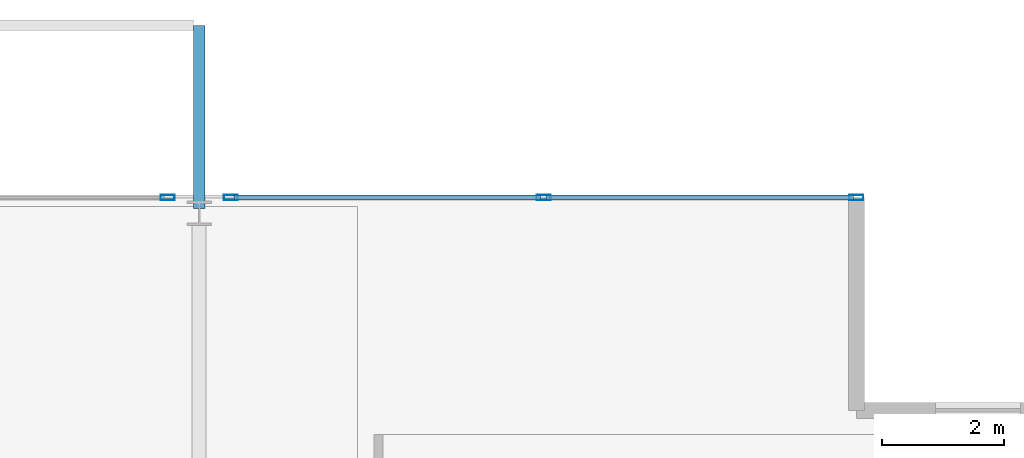
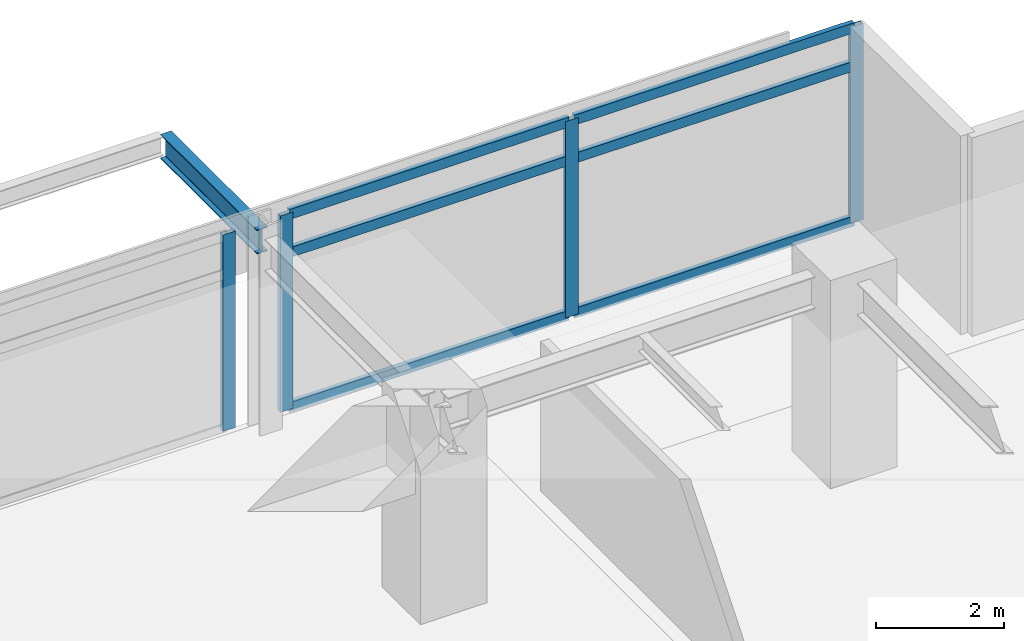
# One storey, part 11 of 20: 10 members, 1 beam, 2 elements without a shape of their own.
"""IFC4 building model written with IfcOpenShell, lengths in metres."""

import ifcopenshell
import ifcopenshell.guid

model = None  # the IFC model being written
_history = None  # IfcOwnerHistory: only IFC2X3 demands one
_inside = {}  # id of a spatial element -> (the spatial element, [elements in it])
_under = {}  # id of a project, library or spatial element -> (it, [spatial elements below it])
_declared = {}  # id of a project -> (the project, [libraries it declares])
_typed = {}  # id of a type object -> (the type object, [elements of that type])
_made_of = {}  # id of a material, layer set ... -> (it, [elements and type objects made of it])


def new_model(schema):
    """Start an empty IFC model of exactly this schema.

    Asked for "IFC4X3", IfcOpenShell would pick the latest addendum, in which some entities
    have other attributes; the version numbers below select the first issue.
    IFC2X3 requires an IfcOwnerHistory on every rooted entity: one is made here for all.
    """
    global model, _history
    if schema == "IFC4X3":
        model = ifcopenshell.file(schema_version=(4, 3, 0, 0))
    else:
        model = ifcopenshell.file(schema=schema)
    _inside.clear()
    _under.clear()
    _declared.clear()
    _typed.clear()
    _made_of.clear()
    _history = None
    if model.schema == "IFC2X3":
        org = make("IfcOrganization", Name="unknown")
        user = make(
            "IfcPersonAndOrganization",
            ThePerson=make("IfcPerson", FamilyName="unknown"),
            TheOrganization=org,
        )
        app = make(
            "IfcApplication",
            ApplicationDeveloper=org,
            Version="unknown",
            ApplicationFullName="unknown",
            ApplicationIdentifier="unknown",
        )
        _history = make(
            "IfcOwnerHistory",
            OwningUser=user,
            OwningApplication=app,
            ChangeAction="ADDED",
            CreationDate=0,
        )
    return model


def make(cls, **values):
    """One entity of the class cls with the attributes given. An attribute that is None is left unset."""
    return model.create_entity(
        cls, **{name: value for name, value in values.items() if value is not None}
    )


def rooted(cls, **values):
    """An entity with a GlobalId (a new one), such as an element, a storey or a relation."""
    return make(cls, GlobalId=ifcopenshell.guid.new(), OwnerHistory=_history, **values)


def si_unit(unit_type, name, prefix=None):
    """IfcSIUnit, for example si_unit("LENGTHUNIT", "METRE", prefix="MILLI")."""
    return make("IfcSIUnit", UnitType=unit_type, Prefix=prefix, Name=name)


def assignment(units):
    """IfcUnitAssignment: the units of a project."""
    return None if units is None else make("IfcUnitAssignment", Units=units)


def point(xyz):
    """IfcCartesianPoint."""
    return None if xyz is None else make("IfcCartesianPoint", Coordinates=xyz)


def direction(xyz):
    """IfcDirection."""
    return None if xyz is None else make("IfcDirection", DirectionRatios=xyz)


def frame(location, z_axis=None, x_axis=None):
    """IfcAxis2Placement3D, a coordinate frame: its origin and axes. An axis left out is left unset."""
    return make(
        "IfcAxis2Placement3D",
        Location=point(location),
        Axis=direction(z_axis),
        RefDirection=direction(x_axis),
    )


def frame_2d(location, x_axis=None):
    """IfcAxis2Placement2D, a coordinate frame in the plane: its origin and x axis."""
    return make(
        "IfcAxis2Placement2D", Location=point(location), RefDirection=direction(x_axis)
    )


def origin():
    """The frame at (0, 0, 0) with its axes left unset."""
    return frame((0.0, 0.0, 0.0))


def origin_2d():
    """The frame at (0, 0) in the plane with its x axis left unset."""
    return frame_2d((0.0, 0.0))


def place(relative_to, where):
    """IfcLocalPlacement: puts the frame where relative to a parent placement (None: the world)."""
    return make(
        "IfcLocalPlacement", PlacementRelTo=relative_to, RelativePlacement=where
    )


def context(
    kind, dimensions, precision=None, world=None, true_north=None, identifier=None
):
    """IfcGeometricRepresentationContext, for example the 3D "Model" context."""
    return make(
        "IfcGeometricRepresentationContext",
        ContextIdentifier=identifier,
        ContextType=kind,
        CoordinateSpaceDimension=dimensions,
        Precision=precision,
        WorldCoordinateSystem=world,
        TrueNorth=true_north,
    )


def subcontext(parent, identifier, kind, view, scale=None):
    """IfcGeometricRepresentationSubContext, for example "Body" below "Model"."""
    return make(
        "IfcGeometricRepresentationSubContext",
        ContextIdentifier=identifier,
        ContextType=kind,
        ParentContext=parent,
        TargetScale=scale,
        TargetView=view,
    )


def project(units=None, contexts=None):
    """IfcProject with its units and contexts."""
    return rooted(
        "IfcProject",
        Name="project",
        RepresentationContexts=contexts,
        UnitsInContext=assignment(units),
    )


def spatial(cls, under=None, at=None, **own):
    """A site, building, storey or space (cls), placed at a placement, below another one or the project."""
    s = rooted(cls, ObjectPlacement=at, **own)
    if under is not None:
        _under.setdefault(under.id(), (under, []))[1].append(s)
    return s


def profile(cls, at=None, kind="AREA", **sizes):
    """A parametric profile (cls). Its sizes go by their IFC names, for example OverallWidth=200.0."""
    return make(cls, ProfileType=kind, Position=at, **sizes)


def hollow_rectangle(**sizes):
    """IfcRectangleHollowProfileDef."""
    return profile("IfcRectangleHollowProfileDef", **sizes)


def i_section(**sizes):
    """IfcIShapeProfileDef."""
    return profile("IfcIShapeProfileDef", **sizes)


def extrude(swept, where, along, depth):
    """IfcExtrudedAreaSolid: the profile swept, set in the frame where, extruded along a direction by depth."""
    return make(
        "IfcExtrudedAreaSolid",
        SweptArea=swept,
        Position=where,
        ExtrudedDirection=direction(along),
        Depth=depth,
    )


def shape(context_of_items, identifier, shape_type, items):
    """IfcShapeRepresentation: the items that make up one representation, for example the "Body"."""
    return make(
        "IfcShapeRepresentation",
        ContextOfItems=context_of_items,
        RepresentationIdentifier=identifier,
        RepresentationType=shape_type,
        Items=items,
    )


def material(Name=None, Category=None):
    """IfcMaterial."""
    return make("IfcMaterial", Name=Name, Category=Category)


def material_profile(
    of_material, cross_section, Name=None, Category=None, Priority=None
):
    """IfcMaterialProfile: a cross section and its material."""
    return make(
        "IfcMaterialProfile",
        Name=Name,
        Material=of_material,
        Profile=cross_section,
        Priority=Priority,
        Category=Category,
    )


def profile_set(profiles, Name=None, composite=None):
    """IfcMaterialProfileSet."""
    return make(
        "IfcMaterialProfileSet",
        Name=Name,
        MaterialProfiles=profiles,
        CompositeProfile=composite,
    )


def made_of(thing, what):
    """Note that an element or type object is made of a material, layer set ...; save() writes the relation."""
    if what is not None:
        _made_of.setdefault(what.id(), (what, []))[1].append(thing)
    return thing


def type_object(cls, material=None, **own):
    """A type object (cls), such as IfcWallType, which elements share."""
    return made_of(rooted(cls, **own), material)


def element(
    cls,
    number,
    at=None,
    inside=None,
    cuts=None,
    type_object=None,
    material=None,
    context=None,
    identifier="Body",
    shape_type=None,
    held_by="IfcProductDefinitionShape",
    body=None,
    shapes=None,
    **own,
):
    """One element of the class cls, such as IfcWall. Its Tag is "e" and its number.

    at: its placement. inside: the storey or other place that contains it. cuts: it is an
    opening in that element (IfcRelVoidsElement). A single representation is given by context,
    identifier, shape_type and body (its items); several are given by shapes. held_by: the class
    of the entity that holds the representations. save() writes the other relations.
    """
    e = rooted(cls, Tag="e%d" % number, ObjectPlacement=at, **own)
    if body is not None:
        shapes = [shape(context, identifier, shape_type, body)]
    if shapes is not None:
        e.Representation = make(held_by, Representations=shapes)
    if inside is not None:
        _inside.setdefault(inside.id(), (inside, []))[1].append(e)
    if cuts is not None:
        rooted(
            "IfcRelVoidsElement", RelatingBuildingElement=cuts, RelatedOpeningElement=e
        )
    if type_object is not None:
        _typed.setdefault(type_object.id(), (type_object, []))[1].append(e)
    return made_of(e, material)


def aggregate(whole, parts):
    """IfcRelAggregates: a whole, such as a stair, and the parts it consists of."""
    return rooted("IfcRelAggregates", RelatingObject=whole, RelatedObjects=parts)


def save(model, path):
    """Write the relations noted so far, then the file.

    IfcRelAggregates (storeys below a building ...), IfcRelContainedInSpatialStructure (elements
    in a storey), IfcRelDefinesByType, IfcRelAssociatesMaterial and IfcRelDeclares: one each for
    every whole, place, type object, material and project.
    """
    for whole, parts in _under.values():
        aggregate(whole, parts)
    for where, things in _inside.values():
        rooted(
            "IfcRelContainedInSpatialStructure",
            RelatedElements=things,
            RelatingStructure=where,
        )
    for kind, things in _typed.values():
        rooted("IfcRelDefinesByType", RelatedObjects=things, RelatingType=kind)
    for what, things in _made_of.values():
        rooted("IfcRelAssociatesMaterial", RelatedObjects=things, RelatingMaterial=what)
    for by, libraries in _declared.values():
        rooted("IfcRelDeclares", RelatingContext=by, RelatedDefinitions=libraries)
    model.write(path)


model = new_model("IFC4")

# Units and contexts
model_context = context("Model", 3, precision=1e-05, world=origin(), true_north=direction((0.0, 1.0)))
body_context = subcontext(model_context, "Body", "Model", "MODEL_VIEW")
ifc_project = project(units=[si_unit("LENGTHUNIT", "METRE"), si_unit("AREAUNIT", "SQUARE_METRE"), si_unit("VOLUMEUNIT", "CUBIC_METRE"), si_unit("PLANEANGLEUNIT", "RADIAN"), si_unit("MASSUNIT", "GRAM", prefix="KILO")], contexts=[model_context])

# Site, building, storey
site_placement = place(None, origin())
site = spatial("IfcSite", under=ifc_project, at=site_placement, CompositionType="ELEMENT")
building_placement = place(site_placement, origin())
building = spatial("IfcBuilding", under=site, at=building_placement, Name="Kovane Verandah Tower", CompositionType="ELEMENT")
storey_placement = place(building_placement, frame((0.0, 0.0, 279.199951171875)))
storey = spatial("IfcBuildingStorey", under=building, at=storey_placement, Name="L65", CompositionType="ELEMENT", Elevation=279.199951171875)

# Curtain wall, members
ifc_material_1 = material(Name="Champagne Anodised Aluminium Frame with Low-E Clear Laminated Glass", Category="aluminium")
curtain_wall_type = type_object("IfcCurtainWallType", Name="CW-SYS-05-HIGH", PredefinedType="NOTDEFINED", material=ifc_material_1)
curtain_wall_1_placement = place(storey_placement, origin())
curtain_wall_1 = element("IfcCurtainWall", 1, at=curtain_wall_1_placement, inside=storey, type_object=curtain_wall_type, Name="L65 N Unitised Curtain Wall-1", PredefinedType="NOTDEFINED")
ifc_material_2 = material(Name="Champagne Anodised Aluminium 6063-T6", Category="aluminium")
ifc_material_profile_1 = material_profile(ifc_material_2, hollow_rectangle(XDim=0.0849609375, YDim=0.22998046875, WallThickness=0.00390625, at=origin_2d()), Name="AL85x230x4")
ifc_profile_set_1 = profile_set([ifc_material_profile_1], Name="Champagne Anodised Aluminium 6063-T6")
member_type_1 = type_object("IfcMemberType", Name="CW-MUL-85x230", PredefinedType="MULLION", material=ifc_profile_set_1)
member_1_placement = place(storey_placement, frame((61.809814453125, 49.75634765625, 0.02001953125), z_axis=(0.0, 0.0, 1.0), x_axis=(0.0, 1.0, 0.0)))
member_1 = element("IfcMember", 2, at=member_1_placement, type_object=member_type_1, Name="L65 N Unitised Curtain Wall-1 Mullion 1", PredefinedType="MULLION", context=body_context, shape_type="SweptSolid", body=[
    extrude(hollow_rectangle(XDim=0.0849609375, YDim=0.22998046875, WallThickness=0.00390625, at=origin_2d()), origin(), (0.0, 0.0, 1.0), 3.7451171875),
])
member_2_placement = place(storey_placement, frame((56.664794921875, 49.75634765625, 0.02001953125), z_axis=(0.0, 0.0, 1.0), x_axis=(0.0, 1.0, 0.0)))
member_2 = element("IfcMember", 3, at=member_2_placement, type_object=member_type_1, Name="L65 N Unitised Curtain Wall-1 Mullion 2", PredefinedType="MULLION", context=body_context, shape_type="SweptSolid", body=[
    extrude(hollow_rectangle(XDim=0.0849609375, YDim=0.22998046875, WallThickness=0.00390625, at=origin_2d()), origin(), (0.0, 0.0, 1.0), 3.7451171875),
])
member_3_placement = place(storey_placement, frame((51.52001953125, 49.75634765625, 0.02001953125), z_axis=(0.0, 0.0, 1.0), x_axis=(0.0, 1.0, 0.0)))
member_3 = element("IfcMember", 4, at=member_3_placement, type_object=member_type_1, Name="L65 N Unitised Curtain Wall-1 Mullion 3", PredefinedType="MULLION", context=body_context, shape_type="SweptSolid", body=[
    extrude(hollow_rectangle(XDim=0.0849609375, YDim=0.22998046875, WallThickness=0.00390625, at=origin_2d()), origin(), (0.0, 0.0, 1.0), 3.7451171875),
])

# Curtain wall, member
curtain_wall_2_placement = place(storey_placement, origin())
curtain_wall_2 = element("IfcCurtainWall", 5, at=curtain_wall_2_placement, inside=storey, type_object=curtain_wall_type, Name="L65 N Unitised Curtain Wall-2", PredefinedType="NOTDEFINED")
member_4_placement = place(storey_placement, frame((50.47998046875, 49.75634765625, 0.02001953125), z_axis=(0.0, 0.0, 1.0), x_axis=(0.0, 1.0, 0.0)))
member_4 = element("IfcMember", 6, at=member_4_placement, type_object=member_type_1, Name="L65 N Unitised Curtain Wall-2 Mullion 1", PredefinedType="MULLION", context=body_context, shape_type="SweptSolid", body=[
    extrude(hollow_rectangle(XDim=0.0849609375, YDim=0.22998046875, WallThickness=0.00390625, at=origin_2d()), origin(), (0.0, 0.0, 1.0), 3.7451171875),
])
aggregate(curtain_wall_2, [member_4])

# Member
ifc_material_profile_2 = material_profile(ifc_material_2, hollow_rectangle(XDim=0.0849609375, YDim=0.18994140625, WallThickness=0.00390625, at=origin_2d()), Name="AL85x190x4")
ifc_profile_set_2 = profile_set([ifc_material_profile_2], Name="Champagne Anodised Aluminium 6063-T6")
member_type_2 = type_object("IfcMemberType", Name="CW-TRN-85x190", PredefinedType="USERDEFINED", material=ifc_profile_set_2)
member_5_placement = place(storey_placement, frame((61.759765625, 49.75634765625, 0.050048828125), z_axis=(-1.0, 0.0, 0.0), x_axis=(0.0, -1.0, 0.0)))
member_5 = element("IfcMember", 7, at=member_5_placement, type_object=member_type_2, Name="L65 N Unitised Curtain Wall-1 Transom TB Bay 1", ObjectType="TRANSOM", PredefinedType="USERDEFINED", context=body_context, shape_type="SweptSolid", body=[
    extrude(hollow_rectangle(XDim=0.0849609375, YDim=0.18994140625, WallThickness=0.00390625, at=origin_2d()), origin(), (0.0, 0.0, 1.0), 5.044921875),
])

member_6_placement = place(storey_placement, frame((61.759765625, 49.75634765625, 3.005126953125), z_axis=(-1.0, 0.0, 0.0), x_axis=(0.0, -1.0, 0.0)))
member_6 = element("IfcMember", 8, at=member_6_placement, type_object=member_type_2, Name="L65 N Unitised Curtain Wall-1 Transom TM Bay 1", ObjectType="TRANSOM", PredefinedType="USERDEFINED", context=body_context, shape_type="SweptSolid", body=[
    extrude(hollow_rectangle(XDim=0.0849609375, YDim=0.18994140625, WallThickness=0.00390625, at=origin_2d()), origin(), (0.0, 0.0, 1.0), 5.044921875),
])

member_7_placement = place(storey_placement, frame((61.759765625, 49.75634765625, 3.735107421875), z_axis=(-1.0, 0.0, 0.0), x_axis=(0.0, -1.0, 0.0)))
member_7 = element("IfcMember", 9, at=member_7_placement, type_object=member_type_2, Name="L65 N Unitised Curtain Wall-1 Transom TT Bay 1", ObjectType="TRANSOM", PredefinedType="USERDEFINED", context=body_context, shape_type="SweptSolid", body=[
    extrude(hollow_rectangle(XDim=0.0849609375, YDim=0.18994140625, WallThickness=0.00390625, at=origin_2d()), origin(), (0.0, 0.0, 1.0), 5.044921875),
])

member_8_placement = place(storey_placement, frame((56.614990234375, 49.75634765625, 0.050048828125), z_axis=(-1.0, 0.0, 0.0), x_axis=(0.0, -1.0, 0.0)))
member_8 = element("IfcMember", 10, at=member_8_placement, type_object=member_type_2, Name="L65 N Unitised Curtain Wall-1 Transom TB Bay 2", ObjectType="TRANSOM", PredefinedType="USERDEFINED", context=body_context, shape_type="SweptSolid", body=[
    extrude(hollow_rectangle(XDim=0.0849609375, YDim=0.18994140625, WallThickness=0.00390625, at=origin_2d()), origin(), (0.0, 0.0, 1.0), 5.044921875),
])

member_9_placement = place(storey_placement, frame((56.614990234375, 49.75634765625, 3.005126953125), z_axis=(-1.0, 0.0, 0.0), x_axis=(0.0, -1.0, 0.0)))
member_9 = element("IfcMember", 11, at=member_9_placement, type_object=member_type_2, Name="L65 N Unitised Curtain Wall-1 Transom TM Bay 2", ObjectType="TRANSOM", PredefinedType="USERDEFINED", context=body_context, shape_type="SweptSolid", body=[
    extrude(hollow_rectangle(XDim=0.0849609375, YDim=0.18994140625, WallThickness=0.00390625, at=origin_2d()), origin(), (0.0, 0.0, 1.0), 5.044921875),
])

member_10_placement = place(storey_placement, frame((56.614990234375, 49.75634765625, 3.735107421875), z_axis=(-1.0, 0.0, 0.0), x_axis=(0.0, -1.0, 0.0)))
member_10 = element("IfcMember", 12, at=member_10_placement, type_object=member_type_2, Name="L65 N Unitised Curtain Wall-1 Transom TT Bay 2", ObjectType="TRANSOM", PredefinedType="USERDEFINED", context=body_context, shape_type="SweptSolid", body=[
    extrude(hollow_rectangle(XDim=0.0849609375, YDim=0.18994140625, WallThickness=0.00390625, at=origin_2d()), origin(), (0.0, 0.0, 1.0), 5.044921875),
])

aggregate(curtain_wall_1, [member_1, member_2, member_3, member_5, member_6, member_7, member_8, member_9, member_10])

# Beam
ifc_material_3 = material(Name="Steel S355", Category="steel")
ifc_material_profile_3 = material_profile(ifc_material_3, i_section(OverallWidth=0.19287109375, OverallDepth=0.46728515625, WebThickness=0.011474609375, FlangeThickness=0.01953125, FilletRadius=0.01025390625, at=origin_2d()), Name="UB457x191x98")
ifc_profile_set_3 = profile_set([ifc_material_profile_3], Name="Steel S355")
beam_type = type_object("IfcBeamType", Name="JST-UB457x98", PredefinedType="JOIST", material=ifc_profile_set_3)
beam_placement = place(storey_placement, frame((51.0, 49.580078125, 3.5263671875), z_axis=(0.0, 1.0, 0.0), x_axis=(-1.0, 0.0, 0.0)))
element("IfcBeam", 13, at=beam_placement, inside=storey, type_object=beam_type, Name="L65 North Planter Girder 2", PredefinedType="JOIST", context=body_context, shape_type="SweptSolid", body=[
    extrude(i_section(OverallWidth=0.19287109375, OverallDepth=0.46728515625, WebThickness=0.011474609375, FlangeThickness=0.01953125, FilletRadius=0.01025390625, at=origin_2d()), origin(), (0.0, 0.0, 1.0), 3.01025390625),
])

save(model, "model.ifc")
